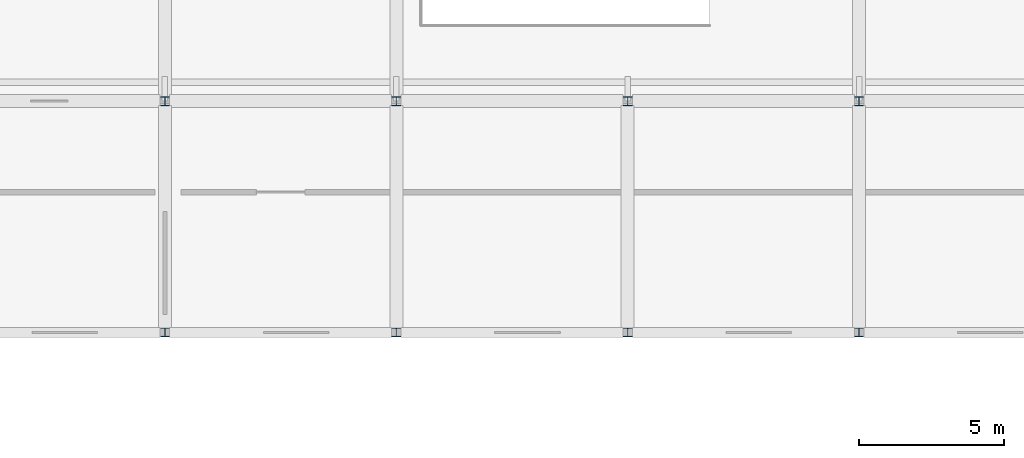
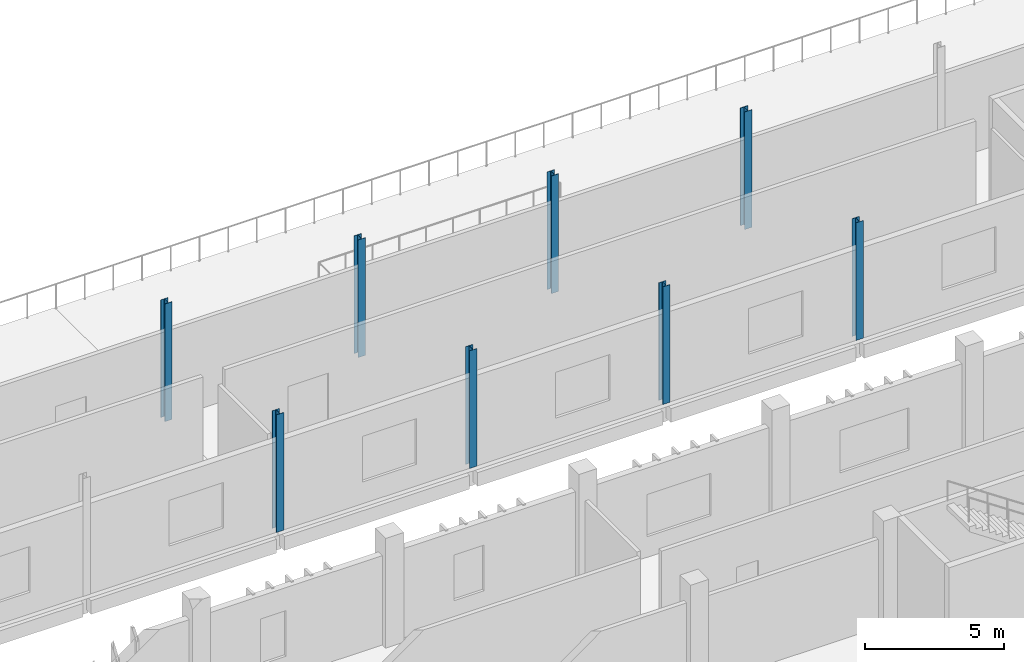
# One storey, part 14 of 106: 8 columns.
"""IFC4 building model written with IfcOpenShell, lengths in metres."""

from ifc_helpers import new_model, si_unit, direction, frame, origin, origin_2d, place, context, subcontext, project, spatial, i_section, extrude, material, material_profile, profile_set, type_object, element, save


model = new_model("IFC4")

# Units and contexts
model_context = context("Model", 3, precision=1e-05, world=origin(), true_north=direction((0.0, 1.0)))
body_context = subcontext(model_context, "Body", "Model", "MODEL_VIEW")
ifc_project = project(units=[si_unit("LENGTHUNIT", "METRE"), si_unit("AREAUNIT", "SQUARE_METRE"), si_unit("VOLUMEUNIT", "CUBIC_METRE"), si_unit("PLANEANGLEUNIT", "RADIAN"), si_unit("MASSUNIT", "GRAM", prefix="KILO")], contexts=[model_context])

# Site, building, storey
site_placement = place(None, origin())
site = spatial("IfcSite", under=ifc_project, at=site_placement, CompositionType="ELEMENT")
building_placement = place(site_placement, origin())
building = spatial("IfcBuilding", under=site, at=building_placement, Name="Jelvoka-Kovrelna Polytechnic", CompositionType="ELEMENT")
storey_placement = place(building_placement, frame((0.0, 0.0, 4.800048828125)))
storey = spatial("IfcBuildingStorey", under=building, at=storey_placement, Name="L02", CompositionType="ELEMENT", Elevation=4.800048828125)

# Columns
ifc_material = material(Name="Structural steel S355JR", Category="steel")
ifc_material_profile = material_profile(ifc_material, i_section(OverallWidth=0.305419921875, OverallDepth=0.307861328125, WebThickness=0.010009765625, FlangeThickness=0.015380859375, FilletRadius=0.01513671875, at=origin_2d()), Name="305x305x97 UC")
ifc_profile_set = profile_set([ifc_material_profile], Name="Structural steel S355JR")
column_type = type_object("IfcColumnType", Name="Col_Steel_UC305", PredefinedType="COLUMN", material=ifc_profile_set)
for number, where, z_axis, x_axis, name in (
    (1, (144.0, 80.0, 0.0), (0.0, 0.0, 1.0), (1.0, 0.0, 0.0), "L02 column 1499"),
    (2, (152.0, 80.0, 0.0), (0.0, 0.0, 1.0), (1.0, 0.0, 0.0), "L02 column 1502"),
    (3, (160.0, 80.0, 0.0), (0.0, 0.0, 1.0), (1.0, 0.0, 0.0), "L02 column 1505"),
    (4, (168.0, 80.0, 0.0), (0.0, 0.0, 1.0), (1.0, 0.0, 0.0), "L02 column 1508"),
    (5, (144.0, 88.0, 0.0), (0.0, 0.0, 1.0), (1.0, 0.0, 0.0), "L02 column 1554"),
    (6, (152.0, 88.0, 0.0), (0.0, 0.0, 1.0), (1.0, 0.0, 0.0), "L02 column 1557"),
    (7, (160.0, 88.0, 0.0), (0.0, 0.0, 1.0), (1.0, 0.0, 0.0), "L02 column 1560"),
    (8, (168.0, 88.0, 0.0), (0.0, 0.0, 1.0), (1.0, 0.0, 0.0), "L02 column 1563"),
):
    element("IfcColumn", number, at=place(storey_placement, frame(where, z_axis=z_axis, x_axis=x_axis)), inside=storey, type_object=column_type, Name=name, PredefinedType="COLUMN", context=body_context, shape_type="SweptSolid", body=[
        extrude(i_section(OverallWidth=0.305419921875, OverallDepth=0.307861328125, WebThickness=0.010009765625, FlangeThickness=0.015380859375, FilletRadius=0.01513671875, at=origin_2d()), origin(), (0.0, 0.0, 1.0), 5.14990234375),
    ])

save(model, "model.ifc")
